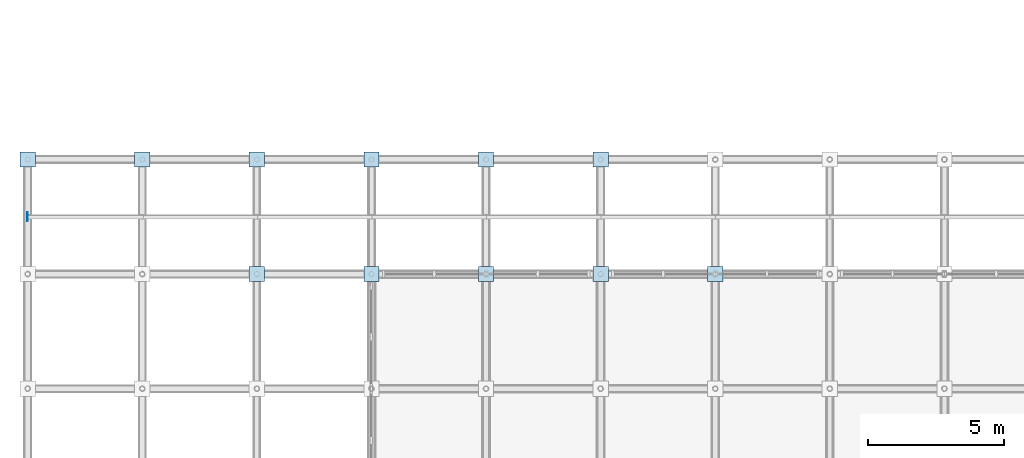
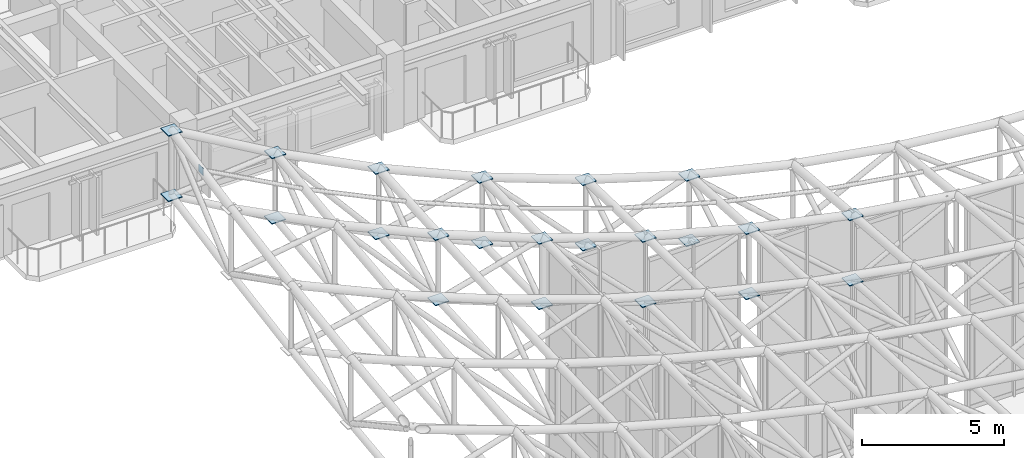
# One storey, part 72 of 93: 23 plates.
"""IFC4 building model written with IfcOpenShell, lengths in metres."""

from ifc_helpers import new_model, si_unit, direction, frame, origin, origin_2d, place, context, subcontext, project, spatial, rectangle, extrude, material, layer, layer_set, type_object, element, save


model = new_model("IFC4")

# Units and contexts
model_context = context("Model", 3, precision=1e-05, world=origin(), true_north=direction((0.0, 1.0)))
body_context = subcontext(model_context, "Body", "Model", "MODEL_VIEW")
ifc_project = project(units=[si_unit("LENGTHUNIT", "METRE"), si_unit("AREAUNIT", "SQUARE_METRE"), si_unit("VOLUMEUNIT", "CUBIC_METRE"), si_unit("PLANEANGLEUNIT", "RADIAN"), si_unit("MASSUNIT", "GRAM", prefix="KILO")], contexts=[model_context])

# Site, building, storey
site_placement = place(None, origin())
site = spatial("IfcSite", under=ifc_project, at=site_placement, CompositionType="ELEMENT")
building_placement = place(site_placement, origin())
building = spatial("IfcBuilding", under=site, at=building_placement, Name="Cumbredor Promenade Congress Hotel", CompositionType="ELEMENT")
storey_placement = place(building_placement, frame((0.0, 0.0, 21.840087890625)))
storey = spatial("IfcBuildingStorey", under=building, at=storey_placement, Name="L06", CompositionType="ELEMENT", Elevation=21.840087890625)

# Plates
ifc_material = material(Name="Steel ASTM A572 Grade 50", Category="steel")
ifc_layer_1 = layer(ifc_material, 0.02001953125, Name="Steel ASTM A572 Grade 50", Category="steel")
ifc_layer_set_1 = layer_set([ifc_layer_1], Name="Steel ASTM A572 Grade 50")
plate_type_1 = type_object("IfcPlateType", Name="Hollow Section End Cap Plate CP-05", PredefinedType="USERDEFINED", material=ifc_layer_set_1)
plate_placement = place(storey_placement, frame((-4.20703125, 69.300048828125, 19.31640625), z_axis=(0.0, 0.0, 1.0), x_axis=(1.0, 0.0, 0.0)))
element("IfcPlate", 1, at=plate_placement, inside=storey, type_object=plate_type_1, Name="Plenary Congress Hall Roof Eave Purlin 1.17 Start Cap Plate", ObjectType="CAP PLATE", PredefinedType="USERDEFINED", context=body_context, shape_type="SweptSolid", body=[
    extrude(rectangle(XDim=0.02001953125, YDim=0.320068359375, at=origin_2d()), origin(), (0.0, 0.0, 1.0), 0.320068359375),
])
ifc_layer_2 = layer(ifc_material, 0.035888671875, Name="Steel ASTM A572 Grade 50", Category="steel")
ifc_layer_set_2 = layer_set([ifc_layer_2], Name="Steel ASTM A572 Grade 50")
plate_type_2 = type_object("IfcPlateType", Name="Space Frame Node Assembly ND-01", PredefinedType="USERDEFINED", material=ifc_layer_set_2)
for number, where, z_axis, x_axis, name in (
    (2, (-4.199951171875, 71.39990234375, 19.88134765625), (0.0, 0.0, 1.0), (1.0, 0.0, 0.0), "Plenary Congress Hall Space Frame Top Node 1.18"),
    (3, (-4.199951171875, 71.39990234375, 17.08154296875), (0.0, 0.0, 1.0), (1.0, 0.0, 0.0), "Plenary Congress Hall Space Frame Bottom Node 1.18"),
    (4, (0.0, 71.39990234375, 17.44677734375), (0.0, 0.0, 1.0), (1.0, 0.0, 0.0), "Plenary Congress Hall Space Frame Top Node 2.18"),
    (5, (0.0, 71.39990234375, 14.646484375), (0.0, 0.0, 1.0), (1.0, 0.0, 0.0), "Plenary Congress Hall Space Frame Bottom Node 2.18"),
    (6, (4.199951171875, 67.199951171875, 15.0224609375), (0.0, 0.0, 1.0), (1.0, 0.0, 0.0), "Plenary Congress Hall Space Frame Top Node 3.17"),
    (7, (4.199951171875, 67.199951171875, 12.22216796875), (0.0, 0.0, 1.0), (1.0, 0.0, 0.0), "Plenary Congress Hall Space Frame Bottom Node 3.17"),
    (8, (4.199951171875, 71.39990234375, 15.30810546875), (0.0, 0.0, 1.0), (1.0, 0.0, 0.0), "Plenary Congress Hall Space Frame Top Node 3.18"),
    (9, (4.199951171875, 71.39990234375, 12.5078125), (0.0, 0.0, 1.0), (1.0, 0.0, 0.0), "Plenary Congress Hall Space Frame Bottom Node 3.18"),
    (10, (8.39990234375, 67.199951171875, 13.38525390625), (0.0, 0.0, 1.0), (1.0, 0.0, 0.0), "Plenary Congress Hall Space Frame Top Node 4.17"),
    (11, (8.39990234375, 67.199951171875, 10.58544921875), (0.0, 0.0, 1.0), (1.0, 0.0, 0.0), "Plenary Congress Hall Space Frame Bottom Node 4.17"),
    (12, (8.39990234375, 71.39990234375, 13.4541015625), (0.0, 0.0, 1.0), (1.0, 0.0, 0.0), "Plenary Congress Hall Space Frame Top Node 4.18"),
    (13, (8.39990234375, 71.39990234375, 10.654296875), (0.0, 0.0, 1.0), (1.0, 0.0, 0.0), "Plenary Congress Hall Space Frame Bottom Node 4.18"),
    (14, (12.60009765625, 67.199951171875, 12.0), (0.0, 0.0, 1.0), (1.0, 0.0, 0.0), "Plenary Congress Hall Space Frame Top Node 5.17"),
    (15, (12.60009765625, 67.199951171875, 9.19970703125), (0.0, 0.0, 1.0), (1.0, 0.0, 0.0), "Plenary Congress Hall Space Frame Bottom Node 5.17"),
    (16, (12.60009765625, 71.39990234375, 11.88525390625), (0.0, 0.0, 1.0), (1.0, 0.0, 0.0), "Plenary Congress Hall Space Frame Top Node 5.18"),
    (17, (12.60009765625, 71.39990234375, 9.0849609375), (0.0, 0.0, 1.0), (1.0, 0.0, 0.0), "Plenary Congress Hall Space Frame Bottom Node 5.18"),
    (18, (16.800048828125, 67.199951171875, 10.8662109375), (0.0, 0.0, 1.0), (1.0, 0.0, 0.0), "Plenary Congress Hall Space Frame Top Node 6.17"),
    (19, (16.800048828125, 67.199951171875, 8.06591796875), (0.0, 0.0, 1.0), (1.0, 0.0, 0.0), "Plenary Congress Hall Space Frame Bottom Node 6.17"),
    (20, (16.800048828125, 71.39990234375, 10.6015625), (0.0, 0.0, 1.0), (1.0, 0.0, 0.0), "Plenary Congress Hall Space Frame Top Node 6.18"),
    (21, (16.800048828125, 71.39990234375, 7.80126953125), (0.0, 0.0, 1.0), (1.0, 0.0, 0.0), "Plenary Congress Hall Space Frame Bottom Node 6.18"),
    (22, (21.0, 67.199951171875, 9.984375), (0.0, 0.0, 1.0), (1.0, 0.0, 0.0), "Plenary Congress Hall Space Frame Top Node 7.17"),
    (23, (21.0, 67.199951171875, 7.1845703125), (0.0, 0.0, 1.0), (1.0, 0.0, 0.0), "Plenary Congress Hall Space Frame Bottom Node 7.17"),
):
    element("IfcPlate", number, at=place(storey_placement, frame(where, z_axis=z_axis, x_axis=x_axis)), inside=storey, type_object=plate_type_2, Name=name, ObjectType="GUSSET PLATE", PredefinedType="USERDEFINED", context=body_context, shape_type="SweptSolid", body=[
        extrude(rectangle(XDim=0.56005859375, YDim=0.56005859375, at=origin_2d()), origin(), (0.0, 0.0, 1.0), 0.035888671875),
    ])

save(model, "model.ifc")
